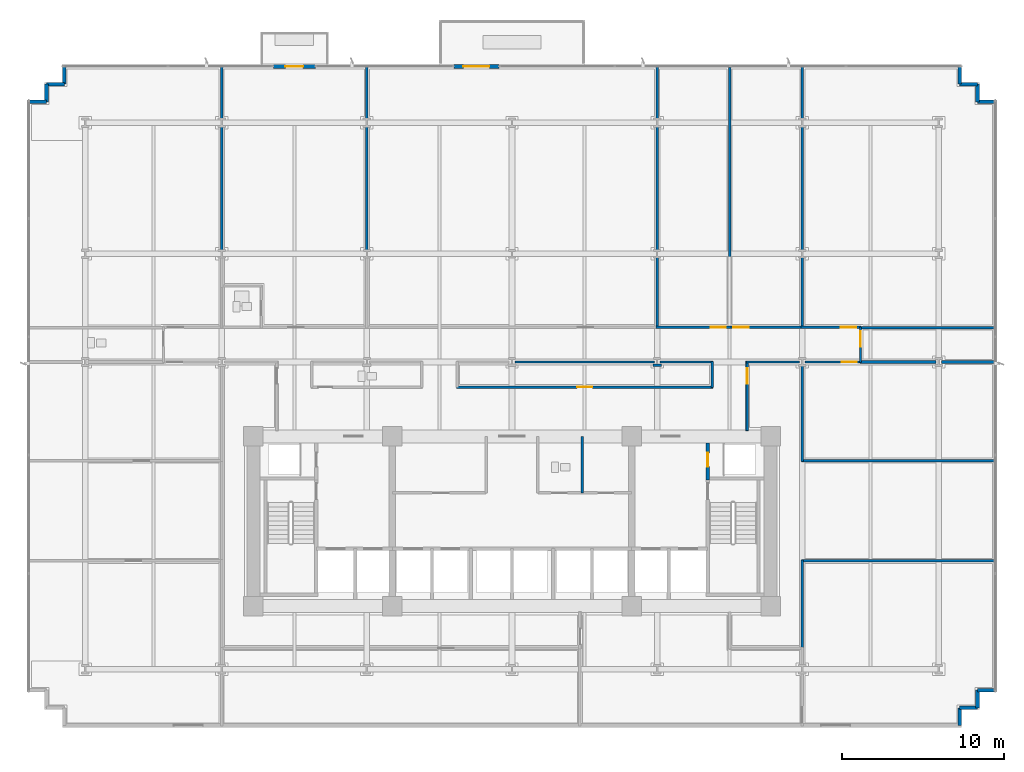
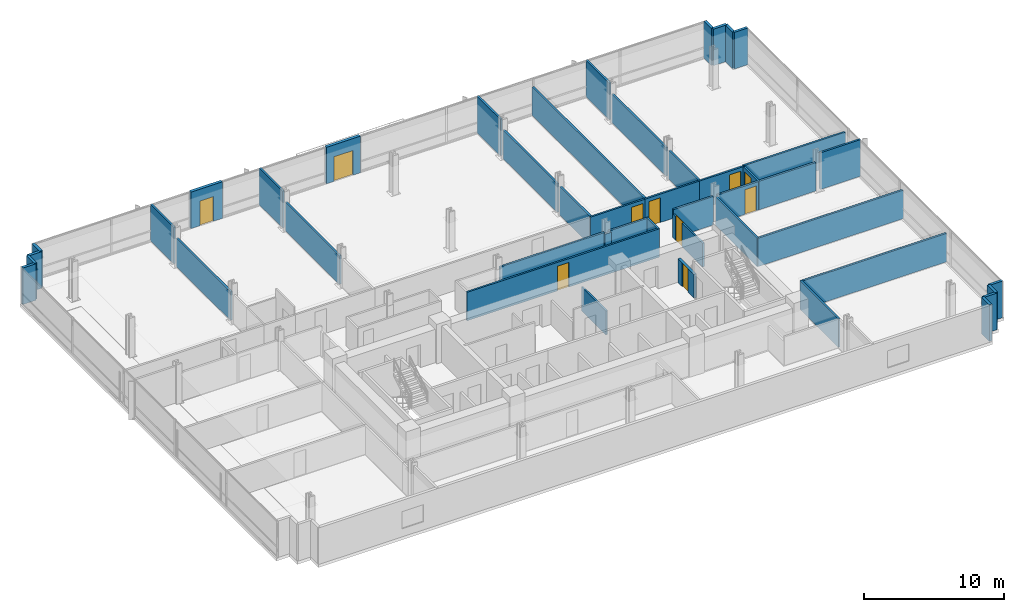
# One storey, part 15 of 21: 46 walls, 10 doors, 10 openings.
"""IFC4 building model written with IfcOpenShell, lengths in metres."""

from ifc_helpers import new_model, si_unit, direction, frame, frame_2d, origin, place, context, subcontext, project, spatial, rectangle, extrude, material, layer, layer_set, type_object, element, fill, save


model = new_model("IFC4")

# Units and contexts
model_context = context("Model", 3, precision=1e-05, world=origin(), true_north=direction((0.0, 1.0)))
body_context = subcontext(model_context, "Body", "Model", "MODEL_VIEW")
ifc_project = project(units=[si_unit("LENGTHUNIT", "METRE"), si_unit("AREAUNIT", "SQUARE_METRE"), si_unit("VOLUMEUNIT", "CUBIC_METRE"), si_unit("PLANEANGLEUNIT", "RADIAN"), si_unit("MASSUNIT", "GRAM", prefix="KILO")], contexts=[model_context])

# Site, building, storey
site_placement = place(None, origin())
site = spatial("IfcSite", under=ifc_project, at=site_placement, CompositionType="ELEMENT")
building_placement = place(site_placement, origin())
building = spatial("IfcBuilding", under=site, at=building_placement, Name="Solmavex Isthmus Hotel", CompositionType="ELEMENT")
storey_placement = place(building_placement, frame((0.0, 0.0, 54.0)))
storey = spatial("IfcBuildingStorey", under=building, at=storey_placement, Name="L14", CompositionType="ELEMENT", Elevation=54.0)

# Wall, opening, door
ifc_material_1 = material(Name="Precast Concrete C40/50", Category="concrete")
ifc_layer_1 = layer(ifc_material_1, 0.25)
ifc_layer_set_1 = layer_set([ifc_layer_1], Name="Precast Concrete C40/50")
wall_type_1 = type_object("IfcWallType", Name="EW-TWR-250", PredefinedType="STANDARD", material=ifc_layer_set_1)
wall_1_placement = place(storey_placement, frame((-3.60009765625, 20.3798828125, 0.0), z_axis=(0.0, 0.0, 1.0), x_axis=(1.0, 0.0, 0.0)))
wall_1 = element("IfcWall", 1, at=wall_1_placement, inside=storey, type_object=wall_type_1, Name="Sky Garden Terrace Access Wall L14", PredefinedType="STANDARD", context=body_context, shape_type="SweptSolid", body=[
    extrude(rectangle(XDim=2.800048828125, YDim=0.25, at=frame_2d((1.39990234375, 0.0))), origin(), (0.0, 0.0, 1.0), 3.18994140625),
])
opening_1_placement = place(wall_1_placement, frame((0.60009765625, 0.0, 0.0)))
opening_1 = element("IfcOpeningElement", 2, at=opening_1_placement, cuts=wall_1, Name="Opening ED-03", PredefinedType="OPENING", context=body_context, shape_type="SweptSolid", body=[
    extrude(rectangle(XDim=1.60009765625, YDim=2.14990234375, at=frame_2d((0.800048828125, 1.074951171875))), frame((0.0, 0.135009765625, 0.0), z_axis=(0.0, -1.0, 0.0), x_axis=(1.0, 0.0, 0.0)), (0.0, 0.0, 1.0), 0.27001953125),
])
ifc_material_2 = material(Name="Aluminium alloy 6063-T6", Category="aluminium")
door_type_1 = type_object("IfcDoorType", Name="EDR-SG-1600", OperationType="NOTDEFINED", PredefinedType="DOOR", material=ifc_material_2)
door_1_placement = place(opening_1_placement, origin())
door_1 = element("IfcDoor", 3, at=door_1_placement, inside=storey, type_object=door_type_1, Name="Sky Garden Terrace Access Door L14", OperationType="DOUBLE_DOOR_SINGLE_SWING", OverallHeight=2.14990234375, OverallWidth=1.60009765625, PredefinedType="DOOR", context=body_context, shape_type="SweptSolid", body=[
    extrude(rectangle(XDim=1.60009765625, YDim=2.14990234375, at=frame_2d((0.800048828125, 1.074951171875))), frame((0.0, 0.02490234375, 0.0), z_axis=(0.0, -1.0, 0.0), x_axis=(1.0, 0.0, 0.0)), (0.0, 0.0, 1.0), 0.050048828125),
])
fill(opening_1, door_1)

wall_2_placement = place(storey_placement, frame((-14.763916015625, 20.3798828125, 0.0), z_axis=(0.0, 0.0, 1.0), x_axis=(1.0, 0.0, 0.0)))
wall_2 = element("IfcWall", 4, at=wall_2_placement, inside=storey, type_object=wall_type_1, Name="Exterior Balcony Door Wall L14-2", PredefinedType="STANDARD", context=body_context, shape_type="SweptSolid", body=[
    extrude(rectangle(XDim=2.599853515625, YDim=0.239990234375, at=frame_2d((1.2998046875, 0.0))), origin(), (0.0, 0.0, 1.0), 3.18994140625),
])
opening_2_placement = place(wall_2_placement, frame((0.75, 0.0, 0.0)))
opening_2 = element("IfcOpeningElement", 5, at=opening_2_placement, cuts=wall_2, Name="Opening ED-02", PredefinedType="OPENING", context=body_context, shape_type="SweptSolid", body=[
    extrude(rectangle(XDim=1.10009765625, YDim=2.14990234375, at=frame_2d((0.550048828125, 1.074951171875))), frame((0.0, 0.1298828125, 0.0), z_axis=(0.0, -1.0, 0.0), x_axis=(1.0, 0.0, 0.0)), (0.0, 0.0, 1.0), 0.260009765625),
])
door_type_2 = type_object("IfcDoorType", Name="EDR-BALC-1100", OperationType="NOTDEFINED", PredefinedType="DOOR", material=ifc_material_2)
door_2_placement = place(opening_2_placement, origin())
door_2 = element("IfcDoor", 6, at=door_2_placement, inside=storey, type_object=door_type_2, Name="Balcony & Terrace Glazed Door L14-2", OperationType="SINGLE_SWING_RIGHT", OverallHeight=2.14990234375, OverallWidth=1.10009765625, PredefinedType="DOOR", context=body_context, shape_type="SweptSolid", body=[
    extrude(rectangle(XDim=1.10009765625, YDim=2.14990234375, at=frame_2d((0.550048828125, 1.074951171875))), frame((0.0, 0.02490234375, 0.0), z_axis=(0.0, -1.0, 0.0), x_axis=(1.0, 0.0, 0.0)), (0.0, 0.0, 1.0), 0.050048828125),
])
fill(opening_2, door_2)

# Walls
wall_3_placement = place(storey_placement, frame((-29.889892578125, 18.18994140625, 0.0), z_axis=(0.0, 0.0, 1.0), x_axis=(1.0, 0.0, 0.0)))
element("IfcWall", 7, at=wall_3_placement, inside=storey, type_object=wall_type_1, Name="Serrated Corner Facade Panel L14-06", PredefinedType="STANDARD", context=body_context, shape_type="SweptSolid", body=[
    extrude(rectangle(XDim=1.099853515625, YDim=0.219970703125, at=frame_2d((0.5498046875, 0.0))), origin(), (0.0, 0.0, 1.0), 3.18994140625),
])
for number, where, z_axis, x_axis, name in (
    (8, (-28.7900390625, 18.18994140625, 0.0), (0.0, 0.0, 1.0), (0.0, 1.0, 0.0), "Serrated Corner Facade Panel L14-07"),
    (9, (-28.7900390625, 19.2900390625, 0.0), (0.0, 0.0, 1.0), (1.0, 0.0, 0.0), "Serrated Corner Facade Panel L14-08"),
):
    element("IfcWall", number, at=place(storey_placement, frame(where, z_axis=z_axis, x_axis=x_axis)), inside=storey, type_object=wall_type_1, Name=name, PredefinedType="STANDARD", context=body_context, shape_type="SweptSolid", body=[
        extrude(rectangle(XDim=1.10009765625, YDim=0.219970703125, at=frame_2d((0.550048828125, 0.0))), origin(), (0.0, 0.0, 1.0), 3.18994140625),
    ])
for number, where, z_axis, x_axis, name in (
    (10, (-27.68994140625, 19.2900390625, 0.0), (0.0, 0.0, 1.0), (0.0, 1.0, 0.0), "Serrated Corner Facade Panel L14-09"),
    (11, (27.68994140625, 20.389892578125, 0.0), (0.0, 0.0, 1.0), (0.0, -1.0, 0.0), "Serrated Corner Facade Panel L14-11"),
):
    element("IfcWall", number, at=place(storey_placement, frame(where, z_axis=z_axis, x_axis=x_axis)), inside=storey, type_object=wall_type_1, Name=name, PredefinedType="STANDARD", context=body_context, shape_type="SweptSolid", body=[
        extrude(rectangle(XDim=1.099853515625, YDim=0.219970703125, at=frame_2d((0.5498046875, 0.0))), origin(), (0.0, 0.0, 1.0), 3.18994140625),
    ])
for number, where, z_axis, x_axis, name in (
    (12, (27.68994140625, 19.2900390625, 0.0), (0.0, 0.0, 1.0), (1.0, 0.0, 0.0), "Serrated Corner Facade Panel L14-12"),
    (13, (28.7900390625, 19.2900390625, 0.0), (0.0, 0.0, 1.0), (0.0, -1.0, 0.0), "Serrated Corner Facade Panel L14-13"),
):
    element("IfcWall", number, at=place(storey_placement, frame(where, z_axis=z_axis, x_axis=x_axis)), inside=storey, type_object=wall_type_1, Name=name, PredefinedType="STANDARD", context=body_context, shape_type="SweptSolid", body=[
        extrude(rectangle(XDim=1.10009765625, YDim=0.219970703125, at=frame_2d((0.550048828125, 0.0))), origin(), (0.0, 0.0, 1.0), 3.18994140625),
    ])
for number, where, z_axis, x_axis, name in (
    (14, (28.7900390625, 18.18994140625, 0.0), (0.0, 0.0, 1.0), (1.0, 0.0, 0.0), "Serrated Corner Facade Panel L14-14"),
    (15, (29.889892578125, -18.18994140625, 0.0), (0.0, 0.0, 1.0), (-1.0, 0.0, 0.0), "Serrated Corner Facade Panel L14-16"),
):
    element("IfcWall", number, at=place(storey_placement, frame(where, z_axis=z_axis, x_axis=x_axis)), inside=storey, type_object=wall_type_1, Name=name, PredefinedType="STANDARD", context=body_context, shape_type="SweptSolid", body=[
        extrude(rectangle(XDim=1.099853515625, YDim=0.219970703125, at=frame_2d((0.5498046875, 0.0))), origin(), (0.0, 0.0, 1.0), 3.18994140625),
    ])
for number, where, z_axis, x_axis, name in (
    (16, (28.7900390625, -18.18994140625, 0.0), (0.0, 0.0, 1.0), (0.0, -1.0, 0.0), "Serrated Corner Facade Panel L14-17"),
    (17, (28.7900390625, -19.2900390625, 0.0), (0.0, 0.0, 1.0), (-1.0, 0.0, 0.0), "Serrated Corner Facade Panel L14-18"),
):
    element("IfcWall", number, at=place(storey_placement, frame(where, z_axis=z_axis, x_axis=x_axis)), inside=storey, type_object=wall_type_1, Name=name, PredefinedType="STANDARD", context=body_context, shape_type="SweptSolid", body=[
        extrude(rectangle(XDim=1.10009765625, YDim=0.219970703125, at=frame_2d((0.550048828125, 0.0))), origin(), (0.0, 0.0, 1.0), 3.18994140625),
    ])
wall_4_placement = place(storey_placement, frame((27.68994140625, -19.2900390625, 0.0), z_axis=(0.0, 0.0, 1.0), x_axis=(0.0, -1.0, 0.0)))
element("IfcWall", 18, at=wall_4_placement, inside=storey, type_object=wall_type_1, Name="Serrated Corner Facade Panel L14-19", PredefinedType="STANDARD", context=body_context, shape_type="SweptSolid", body=[
    extrude(rectangle(XDim=1.099853515625, YDim=0.219970703125, at=frame_2d((0.5498046875, 0.0))), origin(), (0.0, 0.0, 1.0), 3.18994140625),
])
ifc_material_3 = material(Name="Gypsum plasterboard lining", Category="gypsum")
ifc_layer_2 = layer(ifc_material_3, 0.159912109375)
ifc_layer_set_2 = layer_set([ifc_layer_2], Name="Gypsum plasterboard lining")
wall_type_2 = type_object("IfcWallType", Name="IW-COMP-160", PredefinedType="PARTITIONING", material=ifc_layer_set_2)
wall_5_placement = place(storey_placement, frame((-17.951904296875, 16.72509765625, 0.0), z_axis=(0.0, 0.0, 1.0), x_axis=(0.0, -1.0, 0.0)))
element("IfcWall", 19, at=wall_5_placement, inside=storey, type_object=wall_type_2, Name="Interior Partition Wall W-L14-P031", PredefinedType="PARTITIONING", context=body_context, shape_type="SweptSolid", body=[
    extrude(rectangle(XDim=7.76220703125, YDim=0.159912109375, at=frame_2d((3.881103515625, 0.0))), origin(), (0.0, 0.0, 1.0), 2.4794921875),
])
wall_6_placement = place(storey_placement, frame((-17.951904296875, 20.419921875, 0.0), z_axis=(0.0, 0.0, 1.0), x_axis=(0.0, -1.0, 0.0)))
element("IfcWall", 20, at=wall_6_placement, inside=storey, type_object=wall_type_2, Name="Interior Partition Wall W-L14-P032", PredefinedType="PARTITIONING", context=body_context, shape_type="SweptSolid", body=[
    extrude(rectangle(XDim=3.344970703125, YDim=0.159912109375, at=frame_2d((1.67236328125, 0.0))), origin(), (0.0, 0.0, 1.0), 3.18994140625),
])
wall_7_placement = place(storey_placement, frame((-8.97607421875, 16.72509765625, 0.0), z_axis=(0.0, 0.0, 1.0), x_axis=(0.0, -1.0, 0.0)))
element("IfcWall", 21, at=wall_7_placement, inside=storey, type_object=wall_type_2, Name="Interior Partition Wall W-L14-P038", PredefinedType="PARTITIONING", context=body_context, shape_type="SweptSolid", body=[
    extrude(rectangle(XDim=7.76220703125, YDim=0.159912109375, at=frame_2d((3.881103515625, 0.0))), origin(), (0.0, 0.0, 1.0), 2.4794921875),
])
wall_8_placement = place(storey_placement, frame((-8.97607421875, 20.419921875, 0.0), z_axis=(0.0, 0.0, 1.0), x_axis=(0.0, -1.0, 0.0)))
element("IfcWall", 22, at=wall_8_placement, inside=storey, type_object=wall_type_2, Name="Interior Partition Wall W-L14-P039", PredefinedType="PARTITIONING", context=body_context, shape_type="SweptSolid", body=[
    extrude(rectangle(XDim=3.344970703125, YDim=0.159912109375, at=frame_2d((1.67236328125, 0.0))), origin(), (0.0, 0.0, 1.0), 3.18994140625),
])
wall_9_placement = place(storey_placement, frame((8.97607421875, 8.613037109375, 0.0), z_axis=(0.0, 0.0, 1.0), x_axis=(0.0, -1.0, 0.0)))
element("IfcWall", 23, at=wall_9_placement, inside=storey, type_object=wall_type_2, Name="Interior Partition Wall W-L14-P040", PredefinedType="PARTITIONING", context=body_context, shape_type="SweptSolid", body=[
    extrude(rectangle(XDim=4.403076171875, YDim=0.159912109375, at=frame_2d((2.20166015625, 0.0))), origin(), (0.0, 0.0, 1.0), 2.4794921875),
])
wall_10_placement = place(storey_placement, frame((8.97607421875, 16.72509765625, 0.0), z_axis=(0.0, 0.0, 1.0), x_axis=(0.0, -1.0, 0.0)))
element("IfcWall", 24, at=wall_10_placement, inside=storey, type_object=wall_type_2, Name="Interior Partition Wall W-L14-P041", PredefinedType="PARTITIONING", context=body_context, shape_type="SweptSolid", body=[
    extrude(rectangle(XDim=7.76220703125, YDim=0.159912109375, at=frame_2d((3.881103515625, 0.0))), origin(), (0.0, 0.0, 1.0), 2.4794921875),
])
wall_11_placement = place(storey_placement, frame((8.97607421875, 20.419921875, 0.0), z_axis=(0.0, 0.0, 1.0), x_axis=(0.0, -1.0, 0.0)))
element("IfcWall", 25, at=wall_11_placement, inside=storey, type_object=wall_type_2, Name="Interior Partition Wall W-L14-P042", PredefinedType="PARTITIONING", context=body_context, shape_type="SweptSolid", body=[
    extrude(rectangle(XDim=3.344970703125, YDim=0.159912109375, at=frame_2d((1.67236328125, 0.0))), origin(), (0.0, 0.0, 1.0), 3.18994140625),
])
wall_12_placement = place(storey_placement, frame((13.464111328125, 20.300048828125, 0.0), z_axis=(0.0, 0.0, 1.0), x_axis=(0.0, -1.0, 0.0)))
element("IfcWall", 26, at=wall_12_placement, inside=storey, type_object=wall_type_2, Name="Interior Partition Wall W-L14-P043", PredefinedType="PARTITIONING", context=body_context, shape_type="SweptSolid", body=[
    extrude(rectangle(XDim=16.090087890625, YDim=0.159912109375, at=frame_2d((8.044921875, 0.0))), origin(), (0.0, 0.0, 1.0), 2.4794921875),
])
wall_13_placement = place(storey_placement, frame((17.951904296875, 8.613037109375, 0.0), z_axis=(0.0, 0.0, 1.0), x_axis=(0.0, -1.0, 0.0)))
element("IfcWall", 27, at=wall_13_placement, inside=storey, type_object=wall_type_2, Name="Interior Partition Wall W-L14-P044", PredefinedType="PARTITIONING", context=body_context, shape_type="SweptSolid", body=[
    extrude(rectangle(XDim=4.403076171875, YDim=0.159912109375, at=frame_2d((2.20166015625, 0.0))), origin(), (0.0, 0.0, 1.0), 2.4794921875),
])
wall_14_placement = place(storey_placement, frame((17.951904296875, 16.72509765625, 0.0), z_axis=(0.0, 0.0, 1.0), x_axis=(0.0, -1.0, 0.0)))
element("IfcWall", 28, at=wall_14_placement, inside=storey, type_object=wall_type_2, Name="Interior Partition Wall W-L14-P045", PredefinedType="PARTITIONING", context=body_context, shape_type="SweptSolid", body=[
    extrude(rectangle(XDim=7.76220703125, YDim=0.159912109375, at=frame_2d((3.881103515625, 0.0))), origin(), (0.0, 0.0, 1.0), 2.4794921875),
])
wall_15_placement = place(storey_placement, frame((17.951904296875, 20.419921875, 0.0), z_axis=(0.0, 0.0, 1.0), x_axis=(0.0, -1.0, 0.0)))
element("IfcWall", 29, at=wall_15_placement, inside=storey, type_object=wall_type_2, Name="Interior Partition Wall W-L14-P046", PredefinedType="PARTITIONING", context=body_context, shape_type="SweptSolid", body=[
    extrude(rectangle(XDim=3.344970703125, YDim=0.159912109375, at=frame_2d((1.67236328125, 0.0))), origin(), (0.0, 0.0, 1.0), 3.18994140625),
])
wall_16_placement = place(storey_placement, frame((29.919921875, 4.22998046875, 0.0), z_axis=(0.0, 0.0, 1.0), x_axis=(-1.0, 0.0, 0.0)))
element("IfcWall", 30, at=wall_16_placement, inside=storey, type_object=wall_type_2, Name="Interior Partition Wall W-L14-P047", PredefinedType="PARTITIONING", context=body_context, shape_type="SweptSolid", body=[
    extrude(rectangle(XDim=8.407958984375, YDim=0.159912109375, at=frame_2d((4.2041015625, 0.0))), origin(), (0.0, 0.0, 1.0), 2.55322265625),
])
wall_17_placement = place(storey_placement, frame((26.22509765625, 2.10009765625, 0.0), z_axis=(0.0, 0.0, 1.0), x_axis=(-1.0, 0.0, 0.0)))
element("IfcWall", 31, at=wall_17_placement, inside=storey, type_object=wall_type_2, Name="Interior Partition Wall W-L14-P050", PredefinedType="PARTITIONING", context=body_context, shape_type="SweptSolid", body=[
    extrude(rectangle(XDim=4.713134765625, YDim=0.159912109375, at=frame_2d((2.3564453125, 0.0))), origin(), (0.0, 0.0, 1.0), 2.4794921875),
])
wall_18_placement = place(storey_placement, frame((29.919921875, 2.10009765625, 0.0), z_axis=(0.0, 0.0, 1.0), x_axis=(-1.0, 0.0, 0.0)))
element("IfcWall", 32, at=wall_18_placement, inside=storey, type_object=wall_type_2, Name="Interior Partition Wall W-L14-P051", PredefinedType="PARTITIONING", context=body_context, shape_type="SweptSolid", body=[
    extrude(rectangle(XDim=3.344970703125, YDim=0.159912109375, at=frame_2d((1.67236328125, 0.0))), origin(), (0.0, 0.0, 1.0), 3.18994140625),
])
wall_19_placement = place(storey_placement, frame((29.919921875, -4.0, 0.0), z_axis=(0.0, 0.0, 1.0), x_axis=(-1.0, 0.0, 0.0)))
element("IfcWall", 33, at=wall_19_placement, inside=storey, type_object=wall_type_2, Name="Interior Partition Wall W-L14-P054", PredefinedType="PARTITIONING", context=body_context, shape_type="SweptSolid", body=[
    extrude(rectangle(XDim=12.0078125, YDim=0.159912109375, at=frame_2d((6.00390625, 0.0))), origin(), (0.0, 0.0, 1.0), 2.4794921875),
])
wall_20_placement = place(storey_placement, frame((17.951904296875, -4.0400390625, 0.0), z_axis=(0.0, 0.0, 1.0), x_axis=(0.0, 1.0, 0.0)))
element("IfcWall", 34, at=wall_20_placement, inside=storey, type_object=wall_type_2, Name="Interior Partition Wall W-L14-P055", PredefinedType="PARTITIONING", context=body_context, shape_type="SweptSolid", body=[
    extrude(rectangle(XDim=5.965087890625, YDim=0.159912109375, at=frame_2d((2.982421875, 0.0))), origin(), (0.0, 0.0, 1.0), 2.4794921875),
])
wall_21_placement = place(storey_placement, frame((29.919921875, -10.199951171875, 0.0), z_axis=(0.0, 0.0, 1.0), x_axis=(-1.0, 0.0, 0.0)))
element("IfcWall", 35, at=wall_21_placement, inside=storey, type_object=wall_type_2, Name="Interior Partition Wall W-L14-P068", PredefinedType="PARTITIONING", context=body_context, shape_type="SweptSolid", body=[
    extrude(rectangle(XDim=12.0078125, YDim=0.159912109375, at=frame_2d((6.00390625, 0.0))), origin(), (0.0, 0.0, 1.0), 2.4794921875),
])
wall_22_placement = place(storey_placement, frame((17.951904296875, -10.159912109375, 0.0), z_axis=(0.0, 0.0, 1.0), x_axis=(0.0, -1.0, 0.0)))
element("IfcWall", 36, at=wall_22_placement, inside=storey, type_object=wall_type_2, Name="Interior Partition Wall W-L14-P069", PredefinedType="PARTITIONING", context=body_context, shape_type="SweptSolid", body=[
    extrude(rectangle(XDim=5.47998046875, YDim=0.159912109375, at=frame_2d((2.739990234375, 0.0))), origin(), (0.0, 0.0, 1.0), 2.4794921875),
])

# Wall, opening, door
ifc_layer_3 = layer(ifc_material_3, 0.14990234375)
ifc_layer_set_3 = layer_set([ifc_layer_3], Name="Gypsum plasterboard lining")
wall_type_3 = type_object("IfcWallType", Name="IW-CORR-150", PredefinedType="PARTITIONING", material=ifc_layer_set_3)
wall_23_placement = place(storey_placement, frame((8.89404296875, 4.25, 0.0), z_axis=(0.0, 0.0, 1.0), x_axis=(1.0, 0.0, 0.0)))
wall_23 = element("IfcWall", 37, at=wall_23_placement, inside=storey, type_object=wall_type_3, Name="Interior Partition Wall W-L14-P005", PredefinedType="PARTITIONING", context=body_context, shape_type="SweptSolid", body=[
    extrude(rectangle(XDim=4.65185546875, YDim=0.14990234375, at=frame_2d((2.325927734375, 0.0))), origin(), (0.0, 0.0, 1.0), 2.4794921875),
])
opening_3_placement = place(wall_23_placement, frame((3.38720703125, 0.0, 0.0)))
opening_3 = element("IfcOpeningElement", 38, at=opening_3_placement, cuts=wall_23, Name="Opening ID-C095", PredefinedType="OPENING", context=body_context, shape_type="SweptSolid", body=[
    extrude(rectangle(XDim=0.949951171875, YDim=2.14990234375, at=frame_2d((0.47509765625, 1.074951171875))), frame((0.0, 0.0849609375, 0.0), z_axis=(0.0, -1.0, 0.0), x_axis=(1.0, 0.0, 0.0)), (0.0, 0.0, 1.0), 0.169921875),
])
ifc_material_4 = material(Name="Hardwood timber", Category="wood")
door_type_3 = type_object("IfcDoorType", Name="IDR-FD60-0950", OperationType="NOTDEFINED", PredefinedType="DOOR", material=ifc_material_4)
door_3_placement = place(opening_3_placement, origin())
door_3 = element("IfcDoor", 39, at=door_3_placement, inside=storey, type_object=door_type_3, Name="Wellness Treatment Room Door L14-05", OperationType="SINGLE_SWING_LEFT", OverallHeight=2.14990234375, OverallWidth=0.949951171875, PredefinedType="DOOR", context=body_context, shape_type="SweptSolid", body=[
    extrude(rectangle(XDim=0.949951171875, YDim=2.14990234375, at=frame_2d((0.47509765625, 1.074951171875))), frame((0.0, 0.02490234375, 0.0), z_axis=(0.0, -1.0, 0.0), x_axis=(1.0, 0.0, 0.0)), (0.0, 0.0, 1.0), 0.050048828125),
])
fill(opening_3, door_3)

wall_24_placement = place(storey_placement, frame((13.382080078125, 4.25, 0.0), z_axis=(0.0, 0.0, 1.0), x_axis=(1.0, 0.0, 0.0)))
wall_24 = element("IfcWall", 40, at=wall_24_placement, inside=storey, type_object=wall_type_3, Name="Interior Partition Wall W-L14-P006", PredefinedType="PARTITIONING", context=body_context, shape_type="SweptSolid", body=[
    extrude(rectangle(XDim=4.65185546875, YDim=0.14990234375, at=frame_2d((2.325927734375, 0.0))), origin(), (0.0, 0.0, 1.0), 2.4794921875),
])
opening_4_placement = place(wall_24_placement, frame((0.314697265625, 0.0, 0.0)))
opening_4 = element("IfcOpeningElement", 41, at=opening_4_placement, cuts=wall_24, Name="Opening ID-C095", PredefinedType="OPENING", context=body_context, shape_type="SweptSolid", body=[
    extrude(rectangle(XDim=0.949951171875, YDim=2.14990234375, at=frame_2d((0.47509765625, 1.074951171875))), frame((0.0, 0.0849609375, 0.0), z_axis=(0.0, -1.0, 0.0), x_axis=(1.0, 0.0, 0.0)), (0.0, 0.0, 1.0), 0.169921875),
])
door_4_placement = place(opening_4_placement, origin())
door_4 = element("IfcDoor", 42, at=door_4_placement, inside=storey, type_object=door_type_3, Name="Hydrotherapy Care Room Door L14-06", OperationType="SINGLE_SWING_RIGHT", OverallHeight=2.14990234375, OverallWidth=0.949951171875, PredefinedType="DOOR", context=body_context, shape_type="SweptSolid", body=[
    extrude(rectangle(XDim=0.949951171875, YDim=2.14990234375, at=frame_2d((0.47509765625, 1.074951171875))), frame((0.0, 0.02490234375, 0.0), z_axis=(0.0, -1.0, 0.0), x_axis=(1.0, 0.0, 0.0)), (0.0, 0.0, 1.0), 0.050048828125),
])
fill(opening_4, door_4)

wall_25_placement = place(storey_placement, frame((17.8701171875, 4.25, 0.0), z_axis=(0.0, 0.0, 1.0), x_axis=(1.0, 0.0, 0.0)))
wall_25 = element("IfcWall", 43, at=wall_25_placement, inside=storey, type_object=wall_type_3, Name="Interior Partition Wall W-L14-P007", PredefinedType="PARTITIONING", context=body_context, shape_type="SweptSolid", body=[
    extrude(rectangle(XDim=3.721923828125, YDim=0.14990234375, at=frame_2d((1.86083984375, 0.0))), origin(), (0.0, 0.0, 1.0), 2.4794921875),
])
opening_5_placement = place(wall_25_placement, frame((2.456787109375, 0.0, 0.0)))
opening_5 = element("IfcOpeningElement", 44, at=opening_5_placement, cuts=wall_25, Name="Opening ID-C095", PredefinedType="OPENING", context=body_context, shape_type="SweptSolid", body=[
    extrude(rectangle(XDim=0.949951171875, YDim=2.14990234375, at=frame_2d((0.47509765625, 1.074951171875))), frame((0.0, 0.0849609375, 0.0), z_axis=(0.0, -1.0, 0.0), x_axis=(1.0, 0.0, 0.0)), (0.0, 0.0, 1.0), 0.169921875),
])
door_5_placement = place(opening_5_placement, origin())
door_5 = element("IfcDoor", 45, at=door_5_placement, inside=storey, type_object=door_type_3, Name="Corporate Briefing Office Door L14-07", OperationType="SINGLE_SWING_LEFT", OverallHeight=2.14990234375, OverallWidth=0.949951171875, PredefinedType="DOOR", context=body_context, shape_type="SweptSolid", body=[
    extrude(rectangle(XDim=0.949951171875, YDim=2.14990234375, at=frame_2d((0.47509765625, 1.074951171875))), frame((0.0, 0.02490234375, 0.0), z_axis=(0.0, -1.0, 0.0), x_axis=(1.0, 0.0, 0.0)), (0.0, 0.0, 1.0), 0.050048828125),
])
fill(opening_5, door_5)

wall_26_placement = place(storey_placement, frame((21.552001953125, 4.27001953125, 0.0), z_axis=(0.0, 0.0, 1.0), x_axis=(0.0, -1.0, 0.0)))
wall_26 = element("IfcWall", 46, at=wall_26_placement, inside=storey, type_object=wall_type_3, Name="Interior Partition Wall W-L14-P015", PredefinedType="PARTITIONING", context=body_context, shape_type="SweptSolid", body=[
    extrude(rectangle(XDim=2.2099609375, YDim=0.14990234375, at=frame_2d((1.10498046875, 0.0))), origin(), (0.0, 0.0, 1.0), 2.4794921875),
])
opening_6_placement = place(wall_26_placement, frame((0.272216796875, 0.0, 0.0)))
opening_6 = element("IfcOpeningElement", 47, at=opening_6_placement, cuts=wall_26, Name="Opening ID-C095", PredefinedType="OPENING", context=body_context, shape_type="SweptSolid", body=[
    extrude(rectangle(XDim=0.949951171875, YDim=2.14990234375, at=frame_2d((0.47509765625, 1.074951171875))), frame((0.0, 0.0849609375, 0.0), z_axis=(0.0, -1.0, 0.0), x_axis=(1.0, 0.0, 0.0)), (0.0, 0.0, 1.0), 0.169921875),
])
door_6_placement = place(opening_6_placement, origin())
door_6 = element("IfcDoor", 48, at=door_6_placement, inside=storey, type_object=door_type_3, Name="Tea Preparation Kitchen Door L14-10", OperationType="SINGLE_SWING_RIGHT", OverallHeight=2.14990234375, OverallWidth=0.949951171875, PredefinedType="DOOR", context=body_context, shape_type="SweptSolid", body=[
    extrude(rectangle(XDim=0.949951171875, YDim=2.14990234375, at=frame_2d((0.47509765625, 1.074951171875))), frame((0.0, 0.02490234375, 0.0), z_axis=(0.0, -1.0, 0.0), x_axis=(1.0, 0.0, 0.0)), (0.0, 0.0, 1.0), 0.050048828125),
])
fill(opening_6, door_6)

wall_27_placement = place(storey_placement, frame((-3.427978515625, 0.550048828125, 0.0), z_axis=(0.0, 0.0, 1.0), x_axis=(1.0, 0.0, 0.0)))
wall_27 = element("IfcWall", 49, at=wall_27_placement, inside=storey, type_object=wall_type_3, Name="Interior Partition Wall W-L14-P019", PredefinedType="PARTITIONING", context=body_context, shape_type="SweptSolid", body=[
    extrude(rectangle(XDim=15.85205078125, YDim=0.14990234375, at=frame_2d((7.926025390625, 0.0))), origin(), (0.0, 0.0, 1.0), 2.4794921875),
])
opening_7_placement = place(wall_27_placement, frame((7.450927734375, 0.0, 0.0)))
opening_7 = element("IfcOpeningElement", 50, at=opening_7_placement, cuts=wall_27, Name="Opening ID-C095", PredefinedType="OPENING", context=body_context, shape_type="SweptSolid", body=[
    extrude(rectangle(XDim=0.949951171875, YDim=2.14990234375, at=frame_2d((0.47509765625, 1.074951171875))), frame((0.0, 0.0849609375, 0.0), z_axis=(0.0, -1.0, 0.0), x_axis=(1.0, 0.0, 0.0)), (0.0, 0.0, 1.0), 0.169921875),
])
door_7_placement = place(opening_7_placement, origin())
door_7 = element("IfcDoor", 51, at=door_7_placement, inside=storey, type_object=door_type_3, Name="Botanical Reading Library Door L14-11", OperationType="SINGLE_SWING_LEFT", OverallHeight=2.14990234375, OverallWidth=0.949951171875, PredefinedType="DOOR", context=body_context, shape_type="SweptSolid", body=[
    extrude(rectangle(XDim=0.949951171875, YDim=2.14990234375, at=frame_2d((0.47509765625, 1.074951171875))), frame((0.0, 0.02490234375, 0.0), z_axis=(0.0, -1.0, 0.0), x_axis=(1.0, 0.0, 0.0)), (0.0, 0.0, 1.0), 0.050048828125),
])
fill(opening_7, door_7)

# Walls
wall_28_placement = place(storey_placement, frame((12.384033203125, 0.510009765625, 0.0), z_axis=(0.0, 0.0, 1.0), x_axis=(0.0, 1.0, 0.0)))
element("IfcWall", 52, at=wall_28_placement, inside=storey, type_object=wall_type_3, Name="Interior Partition Wall W-L14-P020", PredefinedType="PARTITIONING", context=body_context, shape_type="SweptSolid", body=[
    extrude(rectangle(XDim=1.6298828125, YDim=0.14990234375, at=frame_2d((0.81494140625, 0.0))), origin(), (0.0, 0.0, 1.0), 2.4794921875),
])
wall_29_placement = place(storey_placement, frame((12.424072265625, 2.10009765625, 0.0), z_axis=(0.0, 0.0, 1.0), x_axis=(-1.0, 0.0, 0.0)))
element("IfcWall", 53, at=wall_29_placement, inside=storey, type_object=wall_type_3, Name="Interior Partition Wall W-L14-P021", PredefinedType="PARTITIONING", context=body_context, shape_type="SweptSolid", body=[
    extrude(rectangle(XDim=3.273193359375, YDim=0.14990234375, at=frame_2d((1.63671875, 0.0))), origin(), (0.0, 0.0, 1.0), 2.4794921875),
])
wall_30_placement = place(storey_placement, frame((9.23095703125, 1.885009765625, 0.0), z_axis=(0.0, 0.0, 1.0), x_axis=(-1.0, 0.0, 0.0)))
element("IfcWall", 54, at=wall_30_placement, inside=storey, type_object=wall_type_3, Name="Interior Partition Wall W-L14-P022", PredefinedType="PARTITIONING", context=body_context, shape_type="SweptSolid", body=[
    extrude(rectangle(XDim=0.510009765625, YDim=0.14990234375, at=frame_2d((0.2548828125, 0.0))), origin(), (0.0, 0.0, 1.0), 2.4794921875),
])
wall_31_placement = place(storey_placement, frame((8.801025390625, 2.10009765625, 0.0), z_axis=(0.0, 0.0, 1.0), x_axis=(-1.0, 0.0, 0.0)))
element("IfcWall", 55, at=wall_31_placement, inside=storey, type_object=wall_type_3, Name="Interior Partition Wall W-L14-P023", PredefinedType="PARTITIONING", context=body_context, shape_type="SweptSolid", body=[
    extrude(rectangle(XDim=8.6259765625, YDim=0.14990234375, at=frame_2d((4.31298828125, 0.0))), origin(), (0.0, 0.0, 1.0), 2.4794921875),
])

# Wall, opening, door
wall_32_placement = place(storey_placement, frame((21.592041015625, 2.10009765625, 0.0), z_axis=(0.0, 0.0, 1.0), x_axis=(-1.0, 0.0, 0.0)))
wall_32 = element("IfcWall", 56, at=wall_32_placement, inside=storey, type_object=wall_type_3, Name="Interior Partition Wall W-L14-P025", PredefinedType="PARTITIONING", context=body_context, shape_type="SweptSolid", body=[
    extrude(rectangle(XDim=3.465087890625, YDim=0.14990234375, at=frame_2d((1.732421875, 0.0))), origin(), (0.0, 0.0, 1.0), 2.4794921875),
])
opening_8_placement = place(wall_32_placement, frame((0.26220703125, 0.0, 0.0)))
opening_8 = element("IfcOpeningElement", 57, at=opening_8_placement, cuts=wall_32, Name="Opening ID-C095", PredefinedType="OPENING", context=body_context, shape_type="SweptSolid", body=[
    extrude(rectangle(XDim=0.949951171875, YDim=2.14990234375, at=frame_2d((0.47509765625, 1.074951171875))), frame((0.0, 0.0849609375, 0.0), z_axis=(0.0, -1.0, 0.0), x_axis=(1.0, 0.0, 0.0)), (0.0, 0.0, 1.0), 0.169921875),
])
door_8_placement = place(opening_8_placement, origin())
door_8 = element("IfcDoor", 58, at=door_8_placement, inside=storey, type_object=door_type_3, Name="Botanical Reading Library Door L14-13", OperationType="SINGLE_SWING_LEFT", OverallHeight=2.14990234375, OverallWidth=0.949951171875, PredefinedType="DOOR", context=body_context, shape_type="SweptSolid", body=[
    extrude(rectangle(XDim=0.949951171875, YDim=2.14990234375, at=frame_2d((0.47509765625, 1.074951171875))), frame((0.0, 0.02490234375, 0.0), z_axis=(0.0, -1.0, 0.0), x_axis=(1.0, 0.0, 0.0)), (0.0, 0.0, 1.0), 0.050048828125),
])
fill(opening_8, door_8)

# Wall
wall_33_placement = place(storey_placement, frame((17.777099609375, 2.10009765625, 0.0), z_axis=(0.0, 0.0, 1.0), x_axis=(-1.0, 0.0, 0.0)))
element("IfcWall", 59, at=wall_33_placement, inside=storey, type_object=wall_type_3, Name="Interior Partition Wall W-L14-P028", PredefinedType="PARTITIONING", context=body_context, shape_type="SweptSolid", body=[
    extrude(rectangle(XDim=3.273193359375, YDim=0.14990234375, at=frame_2d((1.63671875, 0.0))), origin(), (0.0, 0.0, 1.0), 2.4794921875),
])

# Wall, opening, door
wall_34_placement = place(storey_placement, frame((14.5439453125, 2.139892578125, 0.0), z_axis=(0.0, 0.0, 1.0), x_axis=(0.0, -1.0, 0.0)))
wall_34 = element("IfcWall", 60, at=wall_34_placement, inside=storey, type_object=wall_type_3, Name="Interior Partition Wall W-L14-P029", PredefinedType="PARTITIONING", context=body_context, shape_type="SweptSolid", body=[
    extrude(rectangle(XDim=4.27978515625, YDim=0.14990234375, at=frame_2d((2.139892578125, 0.0))), origin(), (0.0, 0.0, 1.0), 2.074951171875),
])
opening_9_placement = place(wall_34_placement, frame((0.43017578125, 0.0, 0.0)))
opening_9 = element("IfcOpeningElement", 61, at=opening_9_placement, cuts=wall_34, Name="Opening ID-C095", PredefinedType="OPENING", context=body_context, shape_type="SweptSolid", body=[
    extrude(rectangle(XDim=0.949951171875, YDim=2.14990234375, at=frame_2d((0.47509765625, 1.074951171875))), frame((0.0, 0.0849609375, 0.0), z_axis=(0.0, -1.0, 0.0), x_axis=(1.0, 0.0, 0.0)), (0.0, 0.0, 1.0), 0.169921875),
])
door_9_placement = place(opening_9_placement, frame((0.949951171875, 0.0, 0.0), z_axis=(0.0, 0.0, 1.0), x_axis=(-1.0, 0.0, 0.0)))
door_9 = element("IfcDoor", 62, at=door_9_placement, inside=storey, type_object=door_type_3, Name="Botanical Reading Library Door L14-18", OperationType="SINGLE_SWING_RIGHT", OverallHeight=2.14990234375, OverallWidth=0.949951171875, PredefinedType="DOOR", context=body_context, shape_type="SweptSolid", body=[
    extrude(rectangle(XDim=0.949951171875, YDim=2.14990234375, at=frame_2d((0.47509765625, 1.074951171875))), frame((0.0, 0.02490234375, 0.0), z_axis=(0.0, -1.0, 0.0), x_axis=(1.0, 0.0, 0.0)), (0.0, 0.0, 1.0), 0.050048828125),
])
fill(opening_9, door_9)

# Wall
ifc_layer_4 = layer(ifc_material_3, 0.1201171875)
ifc_layer_set_4 = layer_set([ifc_layer_4], Name="Gypsum plasterboard lining")
wall_type_4 = type_object("IfcWallType", Name="IW-PART-120", PredefinedType="PARTITIONING", material=ifc_layer_set_4)
wall_35_placement = place(storey_placement, frame((4.35009765625, -6.0, 0.0), z_axis=(0.0, 0.0, 1.0), x_axis=(0.0, 1.0, 0.0)))
element("IfcWall", 63, at=wall_35_placement, inside=storey, type_object=wall_type_4, Name="Interior Partition Wall W-L14-BOH-EM0", PredefinedType="PARTITIONING", context=body_context, shape_type="SweptSolid", body=[
    extrude(rectangle(XDim=3.5, YDim=0.14990234375, at=frame_2d((1.75, 0.0))), origin(), (0.0, 0.0, 1.0), 2.074951171875),
])

# Wall, opening, door
ifc_material_5 = material(Name="Concrete C40/50", Category="concrete")
ifc_layer_5 = layer(ifc_material_5, 0.199951171875)
ifc_layer_set_5 = layer_set([ifc_layer_5], Name="Concrete C40/50")
wall_type_5 = type_object("IfcWallType", Name="IW-SHAFT-200", PredefinedType="PARTITIONING", material=ifc_layer_set_5)
wall_36_placement = place(storey_placement, frame((12.10009765625, -5.199951171875, 0.0), z_axis=(0.0, 0.0, 1.0), x_axis=(0.0, 1.0, 0.0)))
wall_36 = element("IfcWall", 64, at=wall_36_placement, inside=storey, type_object=wall_type_5, Name="Interior Partition Wall W-L14-RSE-W", PredefinedType="PARTITIONING", context=body_context, shape_type="SweptSolid", body=[
    extrude(rectangle(XDim=2.300048828125, YDim=0.199951171875, at=frame_2d((1.14990234375, 0.0))), origin(), (0.0, 0.0, 1.0), 2.074951171875),
])
opening_10_placement = place(wall_36_placement, frame((0.824951171875, 0.0, 0.0)))
opening_10 = element("IfcOpeningElement", 65, at=opening_10_placement, cuts=wall_36, Name="Opening ID-R085", PredefinedType="OPENING", context=body_context, shape_type="SweptSolid", body=[
    extrude(rectangle(XDim=0.85009765625, YDim=2.050048828125, at=frame_2d((0.425048828125, 1.02490234375))), frame((0.0, 0.10986328125, 0.0), z_axis=(0.0, -1.0, 0.0), x_axis=(1.0, 0.0, 0.0)), (0.0, 0.0, 1.0), 0.219970703125),
])
ifc_material_6 = material(Name="Steel ASTM A500 Grade C", Category="steel")
door_type_4 = type_object("IfcDoorType", Name="IDR-FD60-0850", OperationType="NOTDEFINED", PredefinedType="DOOR", material=ifc_material_6)
door_10_placement = place(opening_10_placement, frame((0.85009765625, 0.0, 0.0), z_axis=(0.0, 0.0, 1.0), x_axis=(-1.0, 0.0, 0.0)))
door_10 = element("IfcDoor", 66, at=door_10_placement, inside=storey, type_object=door_type_4, Name="Mechanical Riser Door L14", OperationType="SINGLE_SWING_LEFT", OverallHeight=2.050048828125, OverallWidth=0.85009765625, PredefinedType="DOOR", context=body_context, shape_type="SweptSolid", body=[
    extrude(rectangle(XDim=0.85009765625, YDim=2.050048828125, at=frame_2d((0.425048828125, 1.02490234375))), frame((0.0, 0.02490234375, 0.0), z_axis=(0.0, -1.0, 0.0), x_axis=(1.0, 0.0, 0.0)), (0.0, 0.0, 1.0), 0.050048828125),
])
fill(opening_10, door_10)

save(model, "model.ifc")
